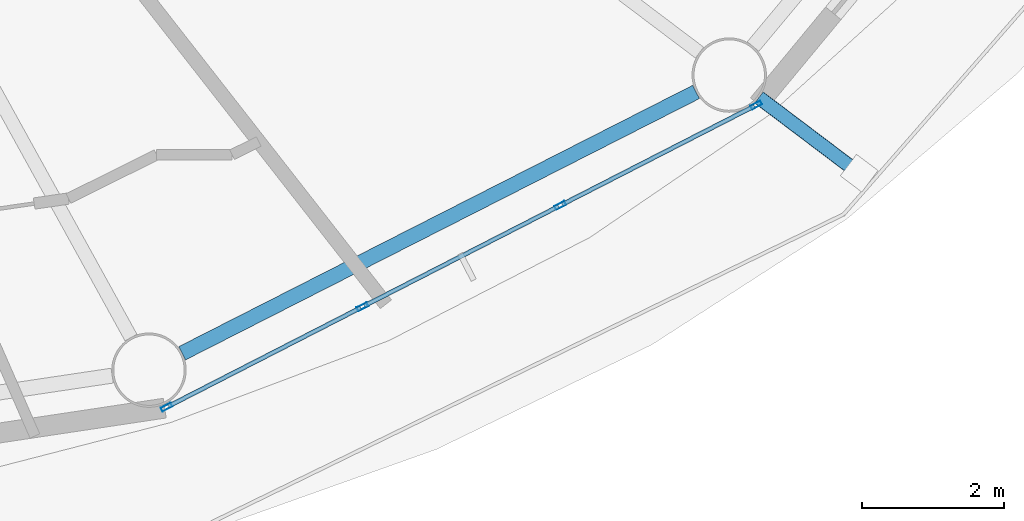
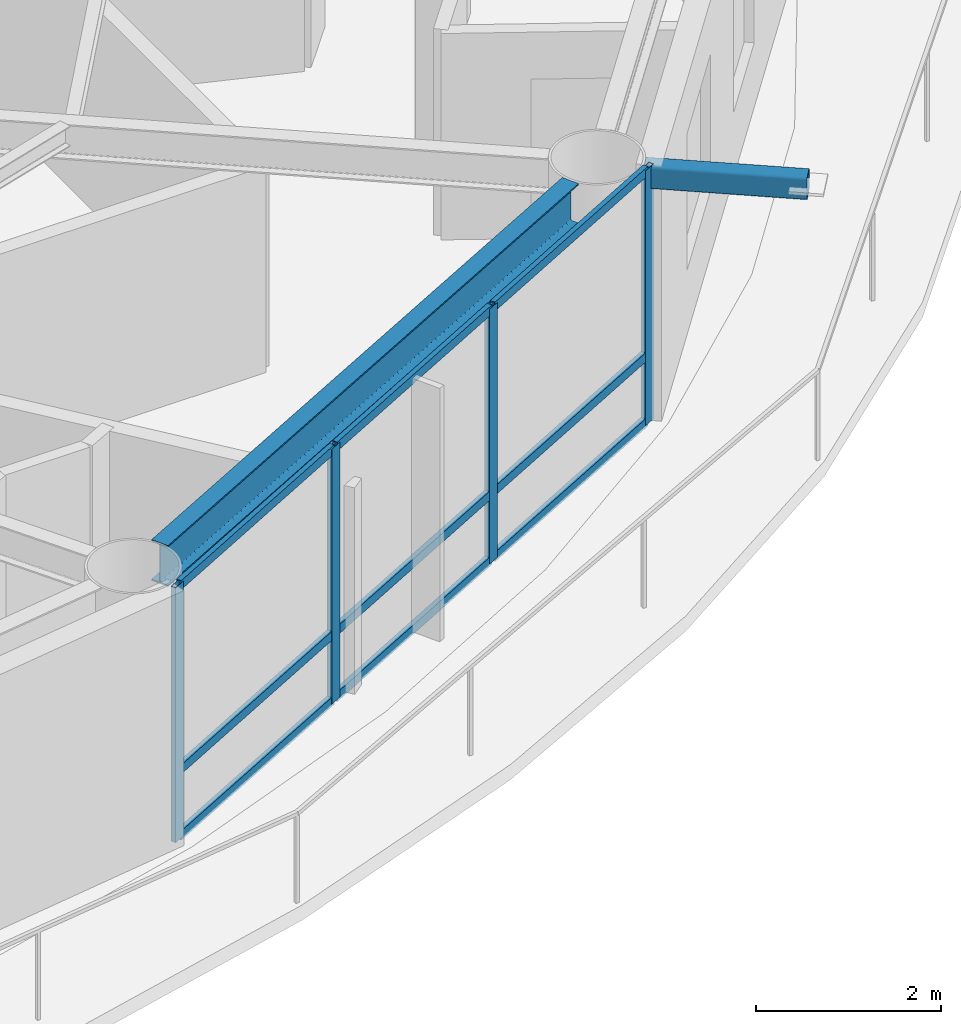
# One storey, part 5 of 23: 14 members, 1 beam, 1 element without a shape of its own.
"""IFC4 building model written with IfcOpenShell, lengths in metres."""

from ifc_helpers import new_model, si_unit, direction, frame, origin, origin_2d, place, context, subcontext, project, spatial, hollow_rectangle, i_section, extrude, material, layer, layer_set, material_profile, profile_set, type_object, element, aggregate, save


model = new_model("IFC4")

# Units and contexts
model_context = context("Model", 3, precision=1e-05, world=origin(), true_north=direction((0.0, 1.0)))
body_context = subcontext(model_context, "Body", "Model", "MODEL_VIEW")
ifc_project = project(units=[si_unit("LENGTHUNIT", "METRE"), si_unit("AREAUNIT", "SQUARE_METRE"), si_unit("VOLUMEUNIT", "CUBIC_METRE"), si_unit("PLANEANGLEUNIT", "RADIAN"), si_unit("MASSUNIT", "GRAM", prefix="KILO")], contexts=[model_context])

# Site, building, storey
site_placement = place(None, origin())
site = spatial("IfcSite", under=ifc_project, at=site_placement, CompositionType="ELEMENT")
building_placement = place(site_placement, origin())
building = spatial("IfcBuilding", under=site, at=building_placement, Name="Sarneth Arch Tower", CompositionType="ELEMENT")
storey_placement = place(building_placement, frame((0.0, 0.0, 238.800048828125)))
storey = spatial("IfcBuildingStorey", under=building, at=storey_placement, Name="L61", CompositionType="ELEMENT", Elevation=238.800048828125)

# Beam
ifc_material_1 = material(Name="Steel S355", Category="steel")
ifc_material_profile_1 = material_profile(ifc_material_1, i_section(OverallWidth=0.2109375, OverallDepth=0.5390625, WebThickness=0.01171875, FlangeThickness=0.018798828125, FilletRadius=0.01806640625, at=origin_2d()), Name="W530x109")
ifc_profile_set_1 = profile_set([ifc_material_profile_1], Name="Steel S355")
beam_type = type_object("IfcBeamType", Name="BM-RAD-530B", PredefinedType="BEAM", material=ifc_profile_set_1)
beam_placement = place(storey_placement, frame((58.2587890625, 24.49951171875, 3.09033203125), z_axis=(0.891368271482, 0.453279830342, 0.0), x_axis=(-0.453279830342, 0.891368271482, 0.0)))
element("IfcBeam", 1, at=beam_placement, inside=storey, type_object=beam_type, Name="L61 Perimeter spandrel beam 14", PredefinedType="BEAM", context=body_context, shape_type="SweptSolid", body=[
    extrude(i_section(OverallWidth=0.2109375, OverallDepth=0.5390625, WebThickness=0.01171875, FlangeThickness=0.018798828125, FilletRadius=0.01806640625, at=origin_2d()), origin(), (0.0, 0.0, 1.0), 8.1318359375),
])

# Curtain wall, members
ifc_material_2 = material(Name="Anodised aluminium Type AA25 and solar-control low-e laminated IGU", Category="aluminium")
ifc_layer = layer(ifc_material_2, 0.179931640625)
ifc_layer_set = layer_set([ifc_layer], Name="Anodised aluminium Type AA25 and solar-control low-e laminated IGU")
curtain_wall_type = type_object("IfcCurtainWallType", Name="CW-RES-HIGH", PredefinedType="NOTDEFINED", material=ifc_layer_set)
curtain_wall_placement = place(storey_placement, origin())
curtain_wall = element("IfcCurtainWall", 2, at=curtain_wall_placement, inside=storey, type_object=curtain_wall_type, Name="L61 Unitised curtain wall facet 14", PredefinedType="NOTDEFINED")
ifc_material_3 = material(Name="Anodised Aluminium 6063-T6", Category="aluminium")
ifc_material_profile_2 = material_profile(ifc_material_3, hollow_rectangle(XDim=0.06005859375, YDim=0.159912109375, WallThickness=0.00390625, at=origin_2d()), Name="AL-MULL-160x60x4")
ifc_profile_set_2 = profile_set([ifc_material_profile_2], Name="Anodised Aluminium 6063-T6")
member_type_1 = type_object("IfcMemberType", Name="CW-MULLION", PredefinedType="MULLION", material=ifc_profile_set_2)
member_1_placement = place(storey_placement, frame((58.039306640625, 23.7392578125, 0.0), z_axis=(0.0, 0.0, 1.0), x_axis=(-0.455941901753, 0.890009540525, 0.0)))
member_1 = element("IfcMember", 3, at=member_1_placement, type_object=member_type_1, Name="CW-SYS-6 mullion 1", PredefinedType="MULLION", context=body_context, shape_type="SweptSolid", body=[
    extrude(hollow_rectangle(XDim=0.06005859375, YDim=0.159912109375, WallThickness=0.00390625, at=origin_2d()), origin(), (0.0, 0.0, 1.0), 3.35986328125),
])
member_2_placement = place(storey_placement, frame((60.802490234375, 25.155029296875, 0.0), z_axis=(0.0, 0.0, 1.0), x_axis=(-0.455941901753, 0.890009540525, 0.0)))
member_2 = element("IfcMember", 4, at=member_2_placement, type_object=member_type_1, Name="CW-SYS-6 mullion 2", PredefinedType="MULLION", context=body_context, shape_type="SweptSolid", body=[
    extrude(hollow_rectangle(XDim=0.06005859375, YDim=0.159912109375, WallThickness=0.00390625, at=origin_2d()), origin(), (0.0, 0.0, 1.0), 3.35986328125),
])
member_3_placement = place(storey_placement, frame((63.592529296875, 26.584228515625, 0.0), z_axis=(0.0, 0.0, 1.0), x_axis=(-0.455941901753, 0.890009540525, 0.0)))
member_3 = element("IfcMember", 5, at=member_3_placement, type_object=member_type_1, Name="CW-SYS-6 mullion 3", PredefinedType="MULLION", context=body_context, shape_type="SweptSolid", body=[
    extrude(hollow_rectangle(XDim=0.06005859375, YDim=0.159912109375, WallThickness=0.00390625, at=origin_2d()), origin(), (0.0, 0.0, 1.0), 3.35986328125),
])
member_4_placement = place(storey_placement, frame((66.355712890625, 27.999755859375, 0.0), z_axis=(0.0, 0.0, 1.0), x_axis=(-0.455941901753, 0.890009540525, 0.0)))
member_4 = element("IfcMember", 6, at=member_4_placement, type_object=member_type_1, Name="CW-SYS-6 mullion 4", PredefinedType="MULLION", context=body_context, shape_type="SweptSolid", body=[
    extrude(hollow_rectangle(XDim=0.06005859375, YDim=0.159912109375, WallThickness=0.00390625, at=origin_2d()), origin(), (0.0, 0.0, 1.0), 3.35986328125),
])
ifc_material_4 = material(Name="Anodised Aluminium 6063-T6", Category="aluminium")
ifc_material_profile_3 = material_profile(ifc_material_4, hollow_rectangle(XDim=0.06005859375, YDim=0.1201171875, WallThickness=0.00390625, at=origin_2d()), Name="AL-TRAN-120x60x4")
ifc_profile_set_3 = profile_set([ifc_material_profile_3], Name="Anodised Aluminium 6063-T6")
member_type_2 = type_object("IfcMemberType", Name="CW-TRANSOM", PredefinedType="USERDEFINED", material=ifc_profile_set_3)
member_5_placement = place(storey_placement, frame((58.066162109375, 23.7529296875, 0.030029296875), z_axis=(0.889973523166, 0.456012201662, 0.0), x_axis=(-0.456012201662, 0.889973523166, 0.0)))
member_5 = element("IfcMember", 7, at=member_5_placement, type_object=member_type_2, Name="CW-SYS-6 transom 1.1", ObjectType="TRANSOM", PredefinedType="USERDEFINED", context=body_context, shape_type="SweptSolid", body=[
    extrude(hollow_rectangle(XDim=0.06005859375, YDim=0.1201171875, WallThickness=0.00390625, at=origin_2d()), origin(), (0.0, 0.0, 1.0), 3.044677734375),
])
member_6_placement = place(storey_placement, frame((58.066162109375, 23.7529296875, 0.89990234375), z_axis=(0.889973523166, 0.456012201662, 0.0), x_axis=(-0.456012201662, 0.889973523166, 0.0)))
member_6 = element("IfcMember", 8, at=member_6_placement, type_object=member_type_2, Name="CW-SYS-6 transom 1.2", ObjectType="TRANSOM", PredefinedType="USERDEFINED", context=body_context, shape_type="SweptSolid", body=[
    extrude(hollow_rectangle(XDim=0.06005859375, YDim=0.1201171875, WallThickness=0.00390625, at=origin_2d()), origin(), (0.0, 0.0, 1.0), 3.044677734375),
])
member_7_placement = place(storey_placement, frame((58.066162109375, 23.7529296875, 3.329833984375), z_axis=(0.889973523166, 0.456012201662, 0.0), x_axis=(-0.456012201662, 0.889973523166, 0.0)))
member_7 = element("IfcMember", 9, at=member_7_placement, type_object=member_type_2, Name="CW-SYS-6 transom 1.3", ObjectType="TRANSOM", PredefinedType="USERDEFINED", context=body_context, shape_type="SweptSolid", body=[
    extrude(hollow_rectangle(XDim=0.06005859375, YDim=0.1201171875, WallThickness=0.00390625, at=origin_2d()), origin(), (0.0, 0.0, 1.0), 3.044677734375),
])
member_8_placement = place(storey_placement, frame((60.829345703125, 25.168701171875, 0.030029296875), z_axis=(0.890017432405, 0.455926496286, 0.0), x_axis=(-0.455926496286, 0.890017432405, 0.0)))
member_8 = element("IfcMember", 10, at=member_8_placement, type_object=member_type_2, Name="CW-SYS-6 transom 2.1", ObjectType="TRANSOM", PredefinedType="USERDEFINED", context=body_context, shape_type="SweptSolid", body=[
    extrude(hollow_rectangle(XDim=0.06005859375, YDim=0.1201171875, WallThickness=0.00390625, at=origin_2d()), origin(), (0.0, 0.0, 1.0), 3.07470703125),
])
member_9_placement = place(storey_placement, frame((60.829345703125, 25.168701171875, 0.89990234375), z_axis=(0.890017432405, 0.455926496286, 0.0), x_axis=(-0.455926496286, 0.890017432405, 0.0)))
member_9 = element("IfcMember", 11, at=member_9_placement, type_object=member_type_2, Name="CW-SYS-6 transom 2.2", ObjectType="TRANSOM", PredefinedType="USERDEFINED", context=body_context, shape_type="SweptSolid", body=[
    extrude(hollow_rectangle(XDim=0.06005859375, YDim=0.1201171875, WallThickness=0.00390625, at=origin_2d()), origin(), (0.0, 0.0, 1.0), 3.07470703125),
])
member_10_placement = place(storey_placement, frame((60.829345703125, 25.168701171875, 3.329833984375), z_axis=(0.890017432405, 0.455926496286, 0.0), x_axis=(-0.455926496286, 0.890017432405, 0.0)))
member_10 = element("IfcMember", 12, at=member_10_placement, type_object=member_type_2, Name="CW-SYS-6 transom 2.3", ObjectType="TRANSOM", PredefinedType="USERDEFINED", context=body_context, shape_type="SweptSolid", body=[
    extrude(hollow_rectangle(XDim=0.06005859375, YDim=0.1201171875, WallThickness=0.00390625, at=origin_2d()), origin(), (0.0, 0.0, 1.0), 3.07470703125),
])
member_11_placement = place(storey_placement, frame((63.619140625, 26.597900390625, 0.030029296875), z_axis=(0.890022732705, 0.455916149384, 0.0), x_axis=(-0.455916149384, 0.890022732705, 0.0)))
member_11 = element("IfcMember", 13, at=member_11_placement, type_object=member_type_2, Name="CW-SYS-6 transom 3.1", ObjectType="TRANSOM", PredefinedType="USERDEFINED", context=body_context, shape_type="SweptSolid", body=[
    extrude(hollow_rectangle(XDim=0.06005859375, YDim=0.1201171875, WallThickness=0.00390625, at=origin_2d()), origin(), (0.0, 0.0, 1.0), 3.044921875),
])
member_12_placement = place(storey_placement, frame((63.619140625, 26.597900390625, 0.89990234375), z_axis=(0.890022732705, 0.455916149384, 0.0), x_axis=(-0.455916149384, 0.890022732705, 0.0)))
member_12 = element("IfcMember", 14, at=member_12_placement, type_object=member_type_2, Name="CW-SYS-6 transom 3.2", ObjectType="TRANSOM", PredefinedType="USERDEFINED", context=body_context, shape_type="SweptSolid", body=[
    extrude(hollow_rectangle(XDim=0.06005859375, YDim=0.1201171875, WallThickness=0.00390625, at=origin_2d()), origin(), (0.0, 0.0, 1.0), 3.044921875),
])
member_13_placement = place(storey_placement, frame((63.619140625, 26.597900390625, 3.329833984375), z_axis=(0.890022732705, 0.455916149384, 0.0), x_axis=(-0.455916149384, 0.890022732705, 0.0)))
member_13 = element("IfcMember", 15, at=member_13_placement, type_object=member_type_2, Name="CW-SYS-6 transom 3.3", ObjectType="TRANSOM", PredefinedType="USERDEFINED", context=body_context, shape_type="SweptSolid", body=[
    extrude(hollow_rectangle(XDim=0.06005859375, YDim=0.1201171875, WallThickness=0.00390625, at=origin_2d()), origin(), (0.0, 0.0, 1.0), 3.044921875),
])
aggregate(curtain_wall, [member_1, member_2, member_3, member_4, member_5, member_6, member_7, member_8, member_9, member_10, member_11, member_12, member_13])

# Member
ifc_material_5 = material(Name="Steel S355", Category="steel")
ifc_material_profile_4 = material_profile(ifc_material_5, hollow_rectangle(XDim=0.199951171875, YDim=0.300048828125, WallThickness=0.012451171875, InnerFilletRadius=0.018798828125, OuterFilletRadius=0.03125, at=origin_2d()), Name="RHS300x200x12.5")
ifc_profile_set_4 = profile_set([ifc_material_profile_4], Name="Steel S355")
member_type_3 = type_object("IfcMemberType", Name="MEM-CANT-STRUT", PredefinedType="STRUT", material=ifc_profile_set_4)
member_14_placement = place(storey_placement, frame((66.39404296875, 28.107177734375, 3.199951171875), z_axis=(0.797977791817, -0.60268685382, 0.0), x_axis=(0.60268685382, 0.797977791817, 0.0)))
element("IfcMember", 16, at=member_14_placement, inside=storey, type_object=member_type_3, Name="L61 Balcony cantilever bracket 15", PredefinedType="STRUT", context=body_context, shape_type="SweptSolid", body=[
    extrude(hollow_rectangle(XDim=0.199951171875, YDim=0.300048828125, WallThickness=0.012451171875, InnerFilletRadius=0.018798828125, OuterFilletRadius=0.03125, at=origin_2d()), origin(), (0.0, 0.0, 1.0), 1.771484375),
])

save(model, "model.ifc")
